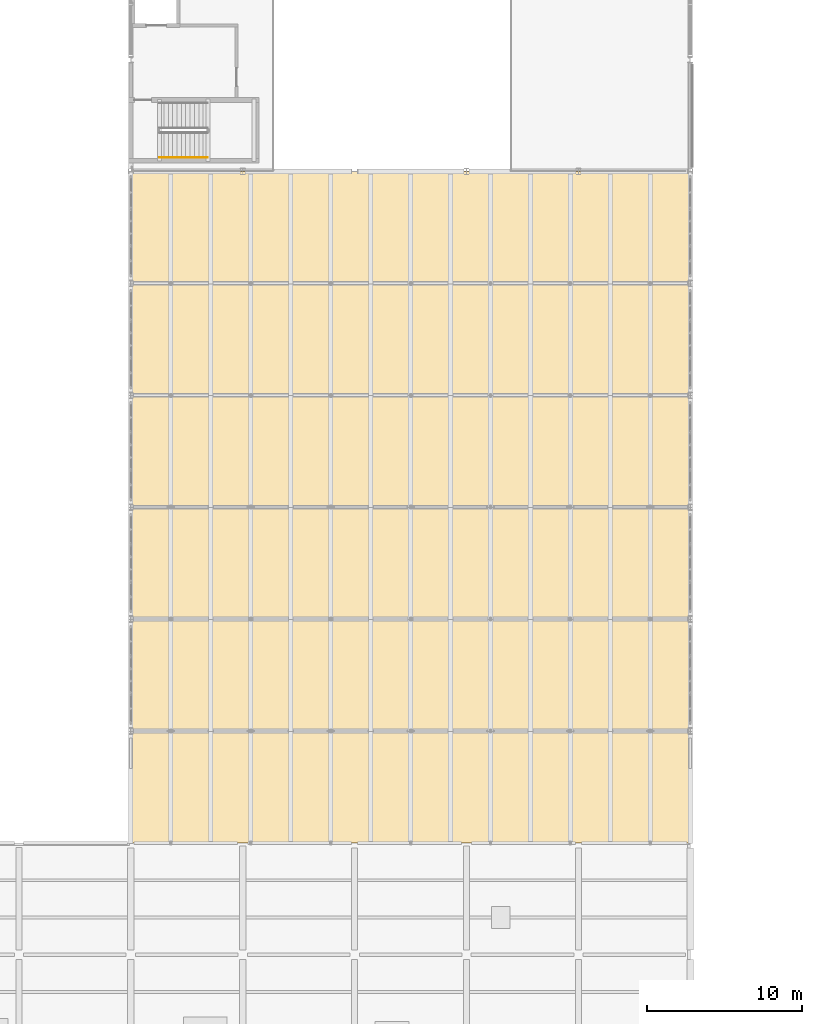
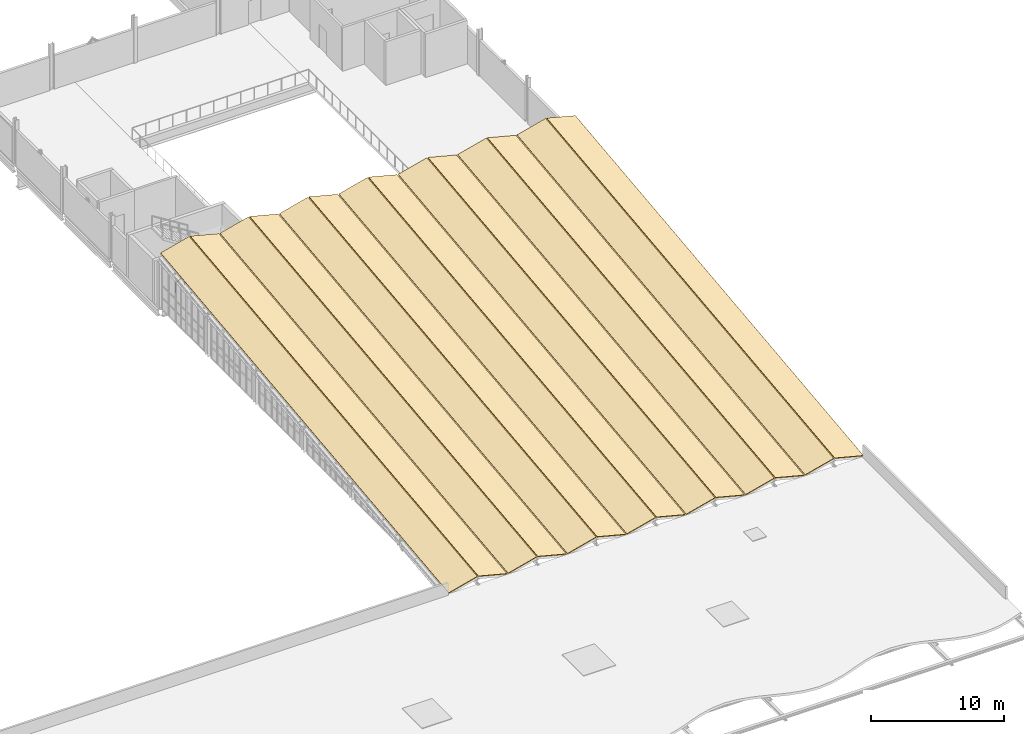
# One storey, part 44 of 48: 14 coverings, 1 railing.
"""IFC4 building model written with IfcOpenShell, lengths in metres."""

from ifc_helpers import new_model, si_unit, direction, frame, origin, origin_2d, place, context, subcontext, project, spatial, polyline, circle, outline, extrude, material, layer, layer_set, type_object, element, save


model = new_model("IFC4")

# Units and contexts
model_context = context("Model", 3, precision=1e-05, world=origin(), true_north=direction((0.0, 1.0)))
body_context = subcontext(model_context, "Body", "Model", "MODEL_VIEW")
ifc_project = project(units=[si_unit("LENGTHUNIT", "METRE"), si_unit("AREAUNIT", "SQUARE_METRE"), si_unit("VOLUMEUNIT", "CUBIC_METRE"), si_unit("PLANEANGLEUNIT", "RADIAN"), si_unit("MASSUNIT", "GRAM", prefix="KILO"), si_unit("THERMODYNAMICTEMPERATUREUNIT", "KELVIN"), si_unit("POWERUNIT", "WATT")], contexts=[model_context])

# Site, building, storey
site_placement = place(None, origin())
site = spatial("IfcSite", under=ifc_project, at=site_placement, CompositionType="ELEMENT")
building_placement = place(site_placement, origin())
building = spatial("IfcBuilding", under=site, at=building_placement, Name="Kaldorven Railside Theatre", CompositionType="ELEMENT")
storey_placement = place(building_placement, frame((0.0, 0.0, 18.89990234375)))
storey = spatial("IfcBuildingStorey", under=building, at=storey_placement, Name="L04", CompositionType="ELEMENT", Elevation=18.89990234375)

# Coverings
ifc_material_1 = material(Name="Standing-seam aluminium roofing", Category="aluminium")
ifc_layer = layer(ifc_material_1, 0.06005859375, Name="Standing-seam aluminium roofing")
ifc_layer_set = layer_set([ifc_layer], Name="Standing-seam aluminium roofing")
covering_type = type_object("IfcCoveringType", Name="COV-RFG-01", PredefinedType="ROOFING", material=ifc_layer_set)
covering_1_placement = place(storey_placement, frame((87.248046875, 40.800048828125, 0.070556640625), z_axis=(-0.248860771345, -0.10959577931, 0.962318596746), x_axis=(0.968150503278, 0.0, 0.25036893378)))
element("IfcCovering", 1, at=covering_1_placement, inside=storey, type_object=covering_type, Name="Standing-Seam Folded Roof Cladding RFG-01", PredefinedType="ROOFING", context=body_context, shape_type="SweptSolid", body=[
    extrude(outline(polyline([(0.0, 0.0), (2.556773754177004, 0.0), (3.788569348301683, 43.46175436084906), (1.231795594124679, 43.46175436084906), (0.0, 0.0)])), origin(), (0.0, 0.0, -1.0), 0.06005859375),
])
covering_2_placement = place(storey_placement, frame((89.8193359375, 40.800048828125, 0.710693359375), z_axis=(0.248837748609, -0.109596448657, 0.962324474026), x_axis=(0.968156488061, 0.0, -0.250345790108)))
element("IfcCovering", 2, at=covering_2_placement, inside=storey, type_object=covering_type, Name="Standing-Seam Folded Roof Cladding RFG-02", PredefinedType="ROOFING", context=body_context, shape_type="SweptSolid", body=[
    extrude(outline(polyline([(0.0, 0.0), (2.557010119776567, 0.0), (1.3253283907093207, 43.46175758786994), (-1.2316817290672464, 43.46175758786994), (0.0, 0.0)])), origin(), (0.0, 0.0, -1.0), 0.06005859375),
])
covering_3_placement = place(storey_placement, frame((92.390869140625, 40.800048828125, 0.070556640625), z_axis=(-0.248860771345, -0.10959577931, 0.962318596746), x_axis=(0.968150503278, 0.0, 0.25036893378)))
element("IfcCovering", 3, at=covering_3_placement, inside=storey, type_object=covering_type, Name="Standing-Seam Folded Roof Cladding RFG-03", PredefinedType="ROOFING", context=body_context, shape_type="SweptSolid", body=[
    extrude(outline(polyline([(0.0, 0.0), (2.556773754177004, 0.0), (3.788569348301683, 43.46175436084906), (1.231795594124679, 43.46175436084906), (0.0, 0.0)])), origin(), (0.0, 0.0, -1.0), 0.06005859375),
])
covering_4_placement = place(storey_placement, frame((94.96240234375, 40.800048828125, 0.710693359375), z_axis=(0.248860771345, -0.10959577931, 0.962318596746), x_axis=(0.968150503278, 0.0, -0.25036893378)))
element("IfcCovering", 4, at=covering_4_placement, inside=storey, type_object=covering_type, Name="Standing-Seam Folded Roof Cladding RFG-04", PredefinedType="ROOFING", context=body_context, shape_type="SweptSolid", body=[
    extrude(outline(polyline([(0.0, 0.0), (2.556773754177004, 0.0), (1.3249781600523252, 43.46175436084906), (-1.231795594124679, 43.46175436084906), (0.0, 0.0)])), origin(), (0.0, 0.0, -1.0), 0.06005859375),
])
covering_5_placement = place(storey_placement, frame((97.53369140625, 40.800048828125, 0.070556640625), z_axis=(-0.248860771345, -0.10959577931, 0.962318596746), x_axis=(0.968150503278, 0.0, 0.25036893378)))
element("IfcCovering", 5, at=covering_5_placement, inside=storey, type_object=covering_type, Name="Standing-Seam Folded Roof Cladding RFG-05", PredefinedType="ROOFING", context=body_context, shape_type="SweptSolid", body=[
    extrude(outline(polyline([(0.0, 0.0), (2.556773754177004, 0.0), (3.788569348301683, 43.46175436084906), (1.231795594124679, 43.46175436084906), (0.0, 0.0)])), origin(), (0.0, 0.0, -1.0), 0.06005859375),
])
covering_6_placement = place(storey_placement, frame((100.10498046875, 40.800048828125, 0.710693359375), z_axis=(0.248837748609, -0.109596448657, 0.962324474026), x_axis=(0.968156488061, 0.0, -0.250345790108)))
element("IfcCovering", 6, at=covering_6_placement, inside=storey, type_object=covering_type, Name="Standing-Seam Folded Roof Cladding RFG-06", PredefinedType="ROOFING", context=body_context, shape_type="SweptSolid", body=[
    extrude(outline(polyline([(0.0, 0.0), (2.557010119776567, 0.0), (1.3253283907093207, 43.46175758786994), (-1.2316817290672464, 43.46175758786994), (0.0, 0.0)])), origin(), (0.0, 0.0, -1.0), 0.06005859375),
])
covering_7_placement = place(storey_placement, frame((102.676513671875, 40.800048828125, 0.070556640625), z_axis=(-0.248837748609, -0.109596448657, 0.962324474026), x_axis=(0.968156488061, 0.0, 0.250345790108)))
element("IfcCovering", 7, at=covering_7_placement, inside=storey, type_object=covering_type, Name="Standing-Seam Folded Roof Cladding RFG-07", PredefinedType="ROOFING", context=body_context, shape_type="SweptSolid", body=[
    extrude(outline(polyline([(0.0, 0.0), (2.557010119776567, 0.0), (3.788691848843813, 43.46175758786994), (1.2316817290672464, 43.46175758786994), (0.0, 0.0)])), origin(), (0.0, 0.0, -1.0), 0.06005859375),
])
covering_8_placement = place(storey_placement, frame((105.248046875, 40.800048828125, 0.710693359375), z_axis=(0.248860771345, -0.10959577931, 0.962318596746), x_axis=(0.968150503278, 0.0, -0.25036893378)))
element("IfcCovering", 8, at=covering_8_placement, inside=storey, type_object=covering_type, Name="Standing-Seam Folded Roof Cladding RFG-08", PredefinedType="ROOFING", context=body_context, shape_type="SweptSolid", body=[
    extrude(outline(polyline([(0.0, 0.0), (2.556773754177004, 0.0), (1.3249781600523252, 43.46175436084906), (-1.231795594124679, 43.46175436084906), (0.0, 0.0)])), origin(), (0.0, 0.0, -1.0), 0.06005859375),
])
covering_9_placement = place(storey_placement, frame((107.8193359375, 40.800048828125, 0.070556640625), z_axis=(-0.248837748609, -0.109596448657, 0.962324474026), x_axis=(0.968156488061, 0.0, 0.250345790108)))
element("IfcCovering", 9, at=covering_9_placement, inside=storey, type_object=covering_type, Name="Standing-Seam Folded Roof Cladding RFG-09", PredefinedType="ROOFING", context=body_context, shape_type="SweptSolid", body=[
    extrude(outline(polyline([(0.0, 0.0), (2.557010119776567, 0.0), (3.788691848843813, 43.46175758786994), (1.2316817290672464, 43.46175758786994), (0.0, 0.0)])), origin(), (0.0, 0.0, -1.0), 0.06005859375),
])
covering_10_placement = place(storey_placement, frame((110.390869140625, 40.800048828125, 0.710693359375), z_axis=(0.248860771345, -0.10959577931, 0.962318596746), x_axis=(0.968150503278, 0.0, -0.25036893378)))
element("IfcCovering", 10, at=covering_10_placement, inside=storey, type_object=covering_type, Name="Standing-Seam Folded Roof Cladding RFG-10", PredefinedType="ROOFING", context=body_context, shape_type="SweptSolid", body=[
    extrude(outline(polyline([(0.0, 0.0), (2.556773754177004, 0.0), (1.3249781600523252, 43.46175436084906), (-1.231795594124679, 43.46175436084906), (0.0, 0.0)])), origin(), (0.0, 0.0, -1.0), 0.06005859375),
])
covering_11_placement = place(storey_placement, frame((112.96240234375, 40.800048828125, 0.070556640625), z_axis=(-0.248860771345, -0.10959577931, 0.962318596746), x_axis=(0.968150503278, 0.0, 0.25036893378)))
element("IfcCovering", 11, at=covering_11_placement, inside=storey, type_object=covering_type, Name="Standing-Seam Folded Roof Cladding RFG-11", PredefinedType="ROOFING", context=body_context, shape_type="SweptSolid", body=[
    extrude(outline(polyline([(0.0, 0.0), (2.556773754177004, 0.0), (3.788569348301683, 43.46175436084906), (1.231795594124679, 43.46175436084906), (0.0, 0.0)])), origin(), (0.0, 0.0, -1.0), 0.06005859375),
])
covering_12_placement = place(storey_placement, frame((115.53369140625, 40.800048828125, 0.710693359375), z_axis=(0.248837748609, -0.109596448657, 0.962324474026), x_axis=(0.968156488061, 0.0, -0.250345790108)))
element("IfcCovering", 12, at=covering_12_placement, inside=storey, type_object=covering_type, Name="Standing-Seam Folded Roof Cladding RFG-12", PredefinedType="ROOFING", context=body_context, shape_type="SweptSolid", body=[
    extrude(outline(polyline([(0.0, 0.0), (2.557010119776567, 0.0), (1.3253283907093207, 43.46175758786994), (-1.2316817290672464, 43.46175758786994), (0.0, 0.0)])), origin(), (0.0, 0.0, -1.0), 0.06005859375),
])
covering_13_placement = place(storey_placement, frame((118.10498046875, 40.800048828125, 0.070556640625), z_axis=(-0.248837748609, -0.109596448657, 0.962324474026), x_axis=(0.968156488061, 0.0, 0.250345790108)))
element("IfcCovering", 13, at=covering_13_placement, inside=storey, type_object=covering_type, Name="Standing-Seam Folded Roof Cladding RFG-13", PredefinedType="ROOFING", context=body_context, shape_type="SweptSolid", body=[
    extrude(outline(polyline([(0.0, 0.0), (2.557010119776567, 0.0), (3.788691848843813, 43.46175758786994), (1.2316817290672464, 43.46175758786994), (0.0, 0.0)])), origin(), (0.0, 0.0, -1.0), 0.06005859375),
])
covering_14_placement = place(storey_placement, frame((120.676513671875, 40.800048828125, 0.710693359375), z_axis=(0.248837748609, -0.109596448657, 0.962324474026), x_axis=(0.968156488061, 0.0, -0.250345790108)))
element("IfcCovering", 14, at=covering_14_placement, inside=storey, type_object=covering_type, Name="Standing-Seam Folded Roof Cladding RFG-14", PredefinedType="ROOFING", context=body_context, shape_type="SweptSolid", body=[
    extrude(outline(polyline([(0.0, 0.0), (2.557010119776567, 0.0), (1.3253283907093207, 43.46175758786994), (-1.2316817290672464, 43.46175758786994), (0.0, 0.0)])), origin(), (0.0, 0.0, -1.0), 0.06005859375),
])

# Railing
ifc_material_2 = material(Name="Steel S355", Category="steel")
railing_type = type_object("IfcRailingType", Name="RLG-STH-900", PredefinedType="HANDRAIL", material=ifc_material_2)
railing_placement = place(storey_placement, frame((89.050048828125, 84.89990234375, 0.175048828125)))
element("IfcRailing", 15, at=railing_placement, inside=storey, type_object=railing_type, Name="L04 ST-05 stair handrail 1", PredefinedType="HANDRAIL", context=body_context, shape_type="SweptSolid", body=[
    extrude(circle(Radius=0.02392578125, at=origin_2d()), frame((0.0, 0.0, 0.8759765625), z_axis=(0.847979421464, 0.0, 0.530029150871), x_axis=(0.0, 1.0, 0.0)), (0.0, 0.0, 1.0), 3.632080078125),
    extrude(circle(Radius=0.02099609375, at=origin_2d()), origin(), (0.0, 0.0, 1.0), 0.851806640625),
    extrude(circle(Radius=0.02099609375, at=origin_2d()), frame((0.77001953125, 0.0, 0.481201171875)), (0.0, 0.0, 1.0), 0.851806640625),
    extrude(circle(Radius=0.02099609375, at=origin_2d()), frame((1.5400390625, 0.0, 0.96240234375)), (0.0, 0.0, 1.0), 0.851806640625),
    extrude(circle(Radius=0.02099609375, at=origin_2d()), frame((2.309814453125, 0.0, 1.44384765625)), (0.0, 0.0, 1.0), 0.851806640625),
    extrude(circle(Radius=0.02099609375, at=origin_2d()), frame((3.079833984375, 0.0, 1.925048828125)), (0.0, 0.0, 1.0), 0.851806640625),
])

save(model, "model.ifc")
